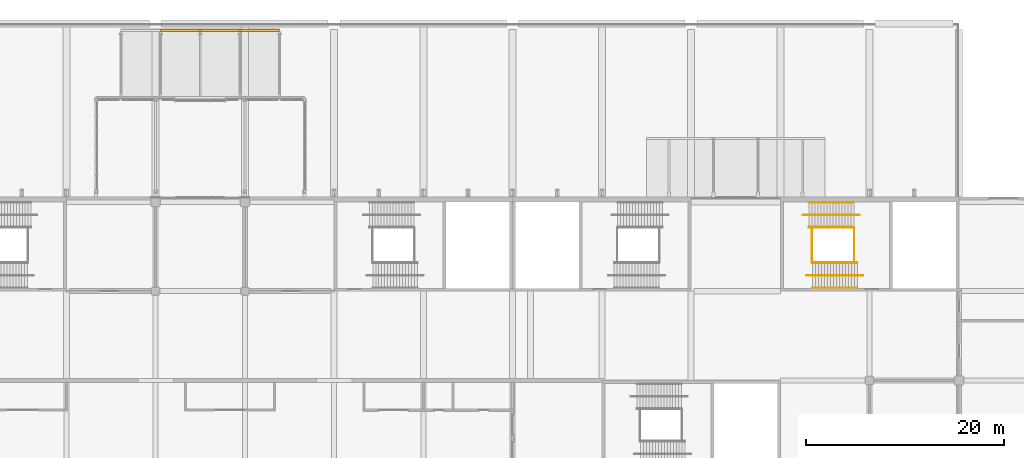
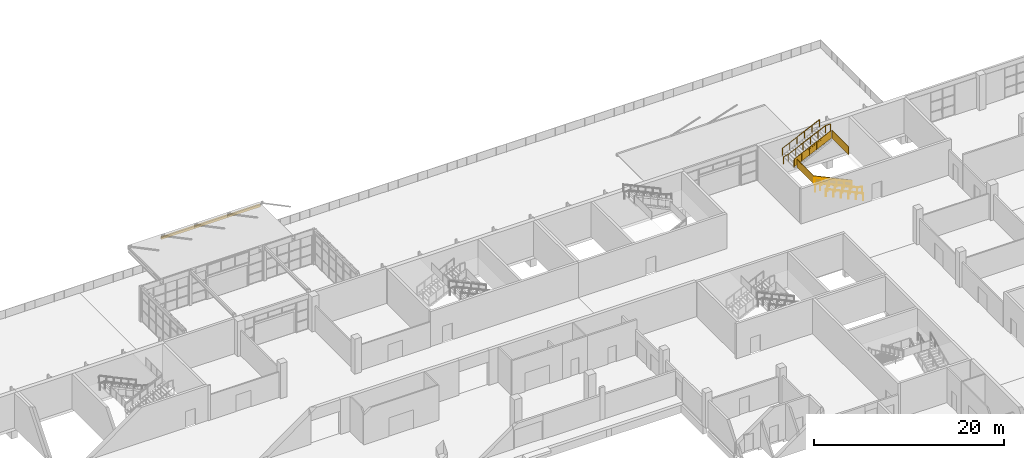
# One storey, part 166 of 168: 10 railings, 3 shading devices.
"""IFC4 building model written with IfcOpenShell, lengths in metres."""

from ifc_helpers import new_model, si_unit, direction, frame, origin, origin_2d, place, context, subcontext, project, spatial, polyline, hollow_rectangle, circle, outline, extrude, material, material_profile, profile_set, type_object, element, save


model = new_model("IFC4")

# Units and contexts
model_context = context("Model", 3, precision=1e-05, world=origin(), true_north=direction((0.0, 1.0)))
body_context = subcontext(model_context, "Body", "Model", "MODEL_VIEW")
ifc_project = project(units=[si_unit("LENGTHUNIT", "METRE"), si_unit("AREAUNIT", "SQUARE_METRE"), si_unit("VOLUMEUNIT", "CUBIC_METRE"), si_unit("PLANEANGLEUNIT", "RADIAN"), si_unit("MASSUNIT", "GRAM", prefix="KILO")], contexts=[model_context])

# Site, building, storey
site_placement = place(None, origin())
site = spatial("IfcSite", under=ifc_project, at=site_placement, CompositionType="ELEMENT")
building_placement = place(site_placement, origin())
building = spatial("IfcBuilding", under=site, at=building_placement, Name="Silverbay Arena", CompositionType="ELEMENT")
storey_placement = place(building_placement, frame((0.0, 0.0, 7.0)))
storey = spatial("IfcBuildingStorey", under=building, at=storey_placement, Name="L01", CompositionType="ELEMENT", Elevation=7.0)

# Shading devices
ifc_material_1 = material(Name="Steel S355", Category="steel")
ifc_material_profile = material_profile(ifc_material_1, hollow_rectangle(XDim=0.199951171875, YDim=0.300048828125, WallThickness=0.008056640625, at=origin_2d()), Name="RHS 300x200x8")
ifc_profile_set = profile_set([ifc_material_profile], Name="Steel S355")
shading_device_type = type_object("IfcShadingDeviceType", Name="Canopy edge beam RHS 300x200x8", PredefinedType="USERDEFINED", material=ifc_profile_set)
for number, where, z_axis, x_axis, name in (
    (1, (126.5, 161.300048828125, 4.14990234375), (1.0, 0.0, 0.0), (0.0, 1.0, 0.0), "North entrance hall N1 canopy edge beam 2"),
    (2, (130.5, 161.300048828125, 4.14990234375), (1.0, 0.0, 0.0), (0.0, 1.0, 0.0), "North entrance hall N1 canopy edge beam 3"),
    (3, (134.5, 161.300048828125, 4.14990234375), (1.0, 0.0, 0.0), (0.0, 1.0, 0.0), "North entrance hall N1 canopy edge beam 4"),
):
    element("IfcShadingDevice", number, at=place(storey_placement, frame(where, z_axis=z_axis, x_axis=x_axis)), inside=storey, type_object=shading_device_type, Name=name, ObjectType="CANOPY FRAME", PredefinedType="USERDEFINED", context=body_context, shape_type="SweptSolid", body=[
        extrude(hollow_rectangle(XDim=0.199951171875, YDim=0.300048828125, WallThickness=0.008056640625, at=origin_2d()), origin(), (0.0, 0.0, 1.0), 4.0),
    ])

# Railings
ifc_material_2 = material(Name="Stainless steel", Category="steel")
railing_type_1 = type_object("IfcRailingType", Name="Stair guard 1100", PredefinedType="GUARDRAIL", material=ifc_material_2)
railing_1_placement = place(storey_placement, frame((196.75341796875, 137.875, 0.140625)))
element("IfcRailing", 4, at=railing_1_placement, inside=storey, type_object=railing_type_1, Name="Stair ST-N6 L01 to L02 flight 1 guard right", PredefinedType="GUARDRAIL", context=body_context, shape_type="SweptSolid", body=[
    extrude(circle(Radius=0.02392578125, at=origin_2d()), frame((0.0, 0.0, 1.076171875), z_axis=(-0.905458935959, 0.0, 0.424433876231), x_axis=(0.0, -1.0, 0.0)), (0.0, 0.0, 1.0), 4.969970703125),
    extrude(outline(polyline([(-0.008056640625, 0.046142578125), (0.907958984375, 0.4755859375), (0.907958984375, 1.478515625), (-0.008056640625, 1.04931640625), (-0.008056640625, 0.046142578125)])), frame((0.0, -0.0029296875, 0.0), z_axis=(0.0, 1.0, 0.0), x_axis=(-1.0, 0.0, 0.0)), (0.0, 0.0, 1.0), 0.006103515625),
    extrude(outline(polyline([(-0.008056640625, 0.468017578125), (0.907958984375, 0.8974609375), (0.907958984375, 1.900390625), (-0.008056640625, 1.47119140625), (-0.008056640625, 0.468017578125)])), frame((-0.89990234375, -0.0029296875, 0.0), z_axis=(0.0, 1.0, 0.0), x_axis=(-1.0, 0.0, 0.0)), (0.0, 0.0, 1.0), 0.006103515625),
    extrude(outline(polyline([(-0.008056640625, 0.889892578125), (0.907958984375, 1.3193359375), (0.907958984375, 2.322265625), (-0.008056640625, 1.89306640625), (-0.008056640625, 0.889892578125)])), frame((-1.800048828125, -0.0029296875, 0.0), z_axis=(0.0, 1.0, 0.0), x_axis=(-1.0, 0.0, 0.0)), (0.0, 0.0, 1.0), 0.006103515625),
    extrude(outline(polyline([(-0.008056640625, 1.311767578125), (0.907958984375, 1.7412109375), (0.907958984375, 2.744140625), (-0.008056640625, 2.31494140625), (-0.008056640625, 1.311767578125)])), frame((-2.699951171875, -0.0029296875, 0.0), z_axis=(0.0, 1.0, 0.0), x_axis=(-1.0, 0.0, 0.0)), (0.0, 0.0, 1.0), 0.006103515625),
    extrude(outline(polyline([(-0.008056640625, 1.733642578125), (0.907958984375, 2.1630859375), (0.907958984375, 3.166015625), (-0.008056640625, 2.73681640625), (-0.008056640625, 1.733642578125)])), frame((-3.60009765625, -0.0029296875, 0.0), z_axis=(0.0, 1.0, 0.0), x_axis=(-1.0, 0.0, 0.0)), (0.0, 0.0, 1.0), 0.006103515625),
    extrude(circle(Radius=0.02099609375, at=origin_2d()), origin(), (0.0, 0.0, 1.0), 1.052001953125),
    extrude(circle(Radius=0.02099609375, at=origin_2d()), frame((-0.89990234375, 0.0, 0.421875)), (0.0, 0.0, 1.0), 1.052001953125),
    extrude(circle(Radius=0.02099609375, at=origin_2d()), frame((-1.800048828125, 0.0, 0.84375)), (0.0, 0.0, 1.0), 1.052001953125),
    extrude(circle(Radius=0.02099609375, at=origin_2d()), frame((-2.699951171875, 0.0, 1.265625)), (0.0, 0.0, 1.0), 1.052001953125),
    extrude(circle(Radius=0.02099609375, at=origin_2d()), frame((-3.60009765625, 0.0, 1.6875)), (0.0, 0.0, 1.0), 1.052001953125),
    extrude(circle(Radius=0.02099609375, at=origin_2d()), frame((-4.5, 0.0, 2.109375)), (0.0, 0.0, 1.0), 1.052001953125),
])
railing_2_placement = place(storey_placement, frame((191.89990234375, 141.425048828125, 2.390625)))
element("IfcRailing", 5, at=railing_2_placement, inside=storey, type_object=railing_type_1, Name="Stair ST-N6 L01 to L02 flight 2 guard left", PredefinedType="GUARDRAIL", context=body_context, shape_type="SweptSolid", body=[
    extrude(circle(Radius=0.02392578125, at=origin_2d()), frame((0.0, 0.0, 1.076171875), z_axis=(0.905458935959, 0.0, 0.424433876231), x_axis=(0.0, 1.0, 0.0)), (0.0, 0.0, 1.0), 4.969970703125),
    extrude(outline(polyline([(-0.008056640625, 0.046142578125), (0.907958984375, 0.4755859375), (0.907958984375, 1.478515625), (-0.008056640625, 1.04931640625), (-0.008056640625, 0.046142578125)])), frame((0.0, 0.0029296875, 0.0), z_axis=(0.0, -1.0, 0.0), x_axis=(1.0, 0.0, 0.0)), (0.0, 0.0, 1.0), 0.006103515625),
    extrude(outline(polyline([(-0.008056640625, 0.468017578125), (0.907958984375, 0.8974609375), (0.907958984375, 1.900390625), (-0.008056640625, 1.47119140625), (-0.008056640625, 0.468017578125)])), frame((0.89990234375, 0.0029296875, 0.0), z_axis=(0.0, -1.0, 0.0), x_axis=(1.0, 0.0, 0.0)), (0.0, 0.0, 1.0), 0.006103515625),
    extrude(outline(polyline([(-0.008056640625, 0.889892578125), (0.907958984375, 1.3193359375), (0.907958984375, 2.322265625), (-0.008056640625, 1.89306640625), (-0.008056640625, 0.889892578125)])), frame((1.800048828125, 0.0029296875, 0.0), z_axis=(0.0, -1.0, 0.0), x_axis=(1.0, 0.0, 0.0)), (0.0, 0.0, 1.0), 0.006103515625),
    extrude(outline(polyline([(-0.008056640625, 1.311767578125), (0.907958984375, 1.7412109375), (0.907958984375, 2.744140625), (-0.008056640625, 2.31494140625), (-0.008056640625, 1.311767578125)])), frame((2.699951171875, 0.0029296875, 0.0), z_axis=(0.0, -1.0, 0.0), x_axis=(1.0, 0.0, 0.0)), (0.0, 0.0, 1.0), 0.006103515625),
    extrude(outline(polyline([(-0.008056640625, 1.733642578125), (0.907958984375, 2.1630859375), (0.907958984375, 3.166015625), (-0.008056640625, 2.73681640625), (-0.008056640625, 1.733642578125)])), frame((3.60009765625, 0.0029296875, 0.0), z_axis=(0.0, -1.0, 0.0), x_axis=(1.0, 0.0, 0.0)), (0.0, 0.0, 1.0), 0.006103515625),
    extrude(circle(Radius=0.02099609375, at=origin_2d()), origin(), (0.0, 0.0, 1.0), 1.052001953125),
    extrude(circle(Radius=0.02099609375, at=origin_2d()), frame((0.89990234375, 0.0, 0.421875)), (0.0, 0.0, 1.0), 1.052001953125),
    extrude(circle(Radius=0.02099609375, at=origin_2d()), frame((1.800048828125, 0.0, 0.84375)), (0.0, 0.0, 1.0), 1.052001953125),
    extrude(circle(Radius=0.02099609375, at=origin_2d()), frame((2.699951171875, 0.0, 1.265625)), (0.0, 0.0, 1.0), 1.052001953125),
    extrude(circle(Radius=0.02099609375, at=origin_2d()), frame((3.60009765625, 0.0, 1.6875)), (0.0, 0.0, 1.0), 1.052001953125),
    extrude(circle(Radius=0.02099609375, at=origin_2d()), frame((4.5, 0.0, 2.109375)), (0.0, 0.0, 1.0), 1.052001953125),
])
for number, where, name in (
    (6, (192.203369140625, 137.89990234375, 2.25), "Stair ST-N6 L01 to L02 landing 1 guard"),
    (7, (196.449951171875, 137.89990234375, 4.5), "Stair ST-N6 L01 to L02 landing 2 guard"),
):
    element("IfcRailing", number, at=place(storey_placement, frame(where)), inside=storey, type_object=railing_type_1, Name=name, PredefinedType="GUARDRAIL", context=body_context, shape_type="SweptSolid", body=[
        extrude(circle(Radius=0.02392578125, at=origin_2d()), frame((0.0, 0.0, 1.076171875), z_axis=(0.0, 1.0, 0.0), x_axis=(-1.0, 0.0, 0.0)), (0.0, 0.0, 1.0), 3.5),
        extrude(outline(polyline([(-0.008056640625, 0.050048828125), (1.174560546875, 0.050048828125), (1.174560546875, 1.052978515625), (-0.008056640625, 1.052978515625), (-0.008056640625, 0.050048828125)])), frame((-0.0029296875, 0.0, 0.0), z_axis=(1.0, 0.0, 0.0), x_axis=(0.0, 1.0, 0.0)), (0.0, 0.0, 1.0), 0.006103515625),
        extrude(outline(polyline([(-0.008056640625, 0.050048828125), (1.174560546875, 0.050048828125), (1.174560546875, 1.052978515625), (-0.008056640625, 1.052978515625), (-0.008056640625, 0.050048828125)])), frame((-0.0029296875, 1.166748046875, 0.0), z_axis=(1.0, 0.0, 0.0), x_axis=(0.0, 1.0, 0.0)), (0.0, 0.0, 1.0), 0.006103515625),
        extrude(outline(polyline([(-0.008056640625, 0.050048828125), (1.174560546875, 0.050048828125), (1.174560546875, 1.052978515625), (-0.008056640625, 1.052978515625), (-0.008056640625, 0.050048828125)])), frame((-0.0029296875, 2.333251953125, 0.0), z_axis=(1.0, 0.0, 0.0), x_axis=(0.0, 1.0, 0.0)), (0.0, 0.0, 1.0), 0.006103515625),
        extrude(circle(Radius=0.02099609375, at=origin_2d()), origin(), (0.0, 0.0, 1.0), 1.052001953125),
        extrude(circle(Radius=0.02099609375, at=origin_2d()), frame((0.0, 1.166748046875, 0.0)), (0.0, 0.0, 1.0), 1.052001953125),
        extrude(circle(Radius=0.02099609375, at=origin_2d()), frame((0.0, 2.333251953125, 0.0)), (0.0, 0.0, 1.0), 1.052001953125),
        extrude(circle(Radius=0.02099609375, at=origin_2d()), frame((0.0, 3.5, 0.0)), (0.0, 0.0, 1.0), 1.052001953125),
    ])
ifc_material_3 = material(Name="Stainless steel", Category="steel")
railing_type_2 = type_object("IfcRailingType", Name="Stair handrail 900", PredefinedType="HANDRAIL", material=ifc_material_3)
for number, where, name in (
    (8, (196.75341796875, 135.35009765625, 0.140625), "Stair ST-N6 L01 to L02 flight 1 handrail left"),
    (9, (196.75341796875, 137.8359375, 0.140625), "Stair ST-N6 L01 to L02 flight 1 handrail right"),
):
    element("IfcRailing", number, at=place(storey_placement, frame(where)), inside=storey, type_object=railing_type_2, Name=name, PredefinedType="HANDRAIL", context=body_context, shape_type="SweptSolid", body=[
        extrude(circle(Radius=0.02392578125, at=origin_2d()), frame((0.0, 0.0, 0.8759765625), z_axis=(-0.905458935959, 0.0, 0.424433876231), x_axis=(0.0, -1.0, 0.0)), (0.0, 0.0, 1.0), 4.969970703125),
        extrude(circle(Radius=0.02099609375, at=origin_2d()), origin(), (0.0, 0.0, 1.0), 0.851806640625),
        extrude(circle(Radius=0.02099609375, at=origin_2d()), frame((-0.89990234375, 0.0, 0.421875)), (0.0, 0.0, 1.0), 0.851806640625),
        extrude(circle(Radius=0.02099609375, at=origin_2d()), frame((-1.800048828125, 0.0, 0.84375)), (0.0, 0.0, 1.0), 0.851806640625),
        extrude(circle(Radius=0.02099609375, at=origin_2d()), frame((-2.699951171875, 0.0, 1.265625)), (0.0, 0.0, 1.0), 0.851806640625),
        extrude(circle(Radius=0.02099609375, at=origin_2d()), frame((-3.60009765625, 0.0, 1.6875)), (0.0, 0.0, 1.0), 0.851806640625),
        extrude(circle(Radius=0.02099609375, at=origin_2d()), frame((-4.5, 0.0, 2.109375)), (0.0, 0.0, 1.0), 0.851806640625),
    ])
railing_3_placement = place(storey_placement, frame((197.353515625, 136.60009765625, 0.0)))
element("IfcRailing", 10, at=railing_3_placement, inside=storey, type_object=railing_type_2, Name="Stair ST-N6 L01 to L02 flight 1 central handrail", PredefinedType="HANDRAIL", context=body_context, shape_type="SweptSolid", body=[
    extrude(circle(Radius=0.02392578125, at=origin_2d()), frame((0.0, 0.0, 0.8759765625), z_axis=(-0.973624560196, 0.0, 0.228156121511), x_axis=(0.0, -1.0, 0.0)), (0.0, 0.0, 1.0), 0.616455078125),
    extrude(circle(Radius=0.02392578125, at=origin_2d()), frame((-0.60009765625, 0.0, 1.0166015625), z_axis=(-0.905458935959, 0.0, 0.424433876231), x_axis=(0.0, -1.0, 0.0)), (0.0, 0.0, 1.0), 4.969970703125),
    extrude(circle(Radius=0.02392578125, at=origin_2d()), frame((-5.10009765625, 0.0, 3.1259765625), z_axis=(-1.0, 0.0, 0.0), x_axis=(0.0, -1.0, 0.0)), (0.0, 0.0, 1.0), 0.60009765625),
    extrude(circle(Radius=0.02099609375, at=origin_2d()), origin(), (0.0, 0.0, 1.0), 0.851806640625),
    extrude(circle(Radius=0.02099609375, at=origin_2d()), frame((-0.60009765625, 0.0, 0.140625)), (0.0, 0.0, 1.0), 0.851806640625),
    extrude(circle(Radius=0.02099609375, at=origin_2d()), frame((-1.5, 0.0, 0.5625)), (0.0, 0.0, 1.0), 0.851806640625),
    extrude(circle(Radius=0.02099609375, at=origin_2d()), frame((-2.400146484375, 0.0, 0.984375)), (0.0, 0.0, 1.0), 0.851806640625),
    extrude(circle(Radius=0.02099609375, at=origin_2d()), frame((-3.300048828125, 0.0, 1.40625)), (0.0, 0.0, 1.0), 0.851806640625),
    extrude(circle(Radius=0.02099609375, at=origin_2d()), frame((-4.2001953125, 0.0, 1.828125)), (0.0, 0.0, 1.0), 0.851806640625),
    extrude(circle(Radius=0.02099609375, at=origin_2d()), frame((-5.10009765625, 0.0, 2.25)), (0.0, 0.0, 1.0), 0.851806640625),
    extrude(circle(Radius=0.02099609375, at=origin_2d()), frame((-5.7001953125, 0.0, 2.25)), (0.0, 0.0, 1.0), 0.851806640625),
])
for number, where, name in (
    (11, (191.89990234375, 141.464111328125, 2.390625), "Stair ST-N6 L01 to L02 flight 2 handrail left"),
    (12, (191.89990234375, 143.949951171875, 2.390625), "Stair ST-N6 L01 to L02 flight 2 handrail right"),
):
    element("IfcRailing", number, at=place(storey_placement, frame(where)), inside=storey, type_object=railing_type_2, Name=name, PredefinedType="HANDRAIL", context=body_context, shape_type="SweptSolid", body=[
        extrude(circle(Radius=0.02392578125, at=origin_2d()), frame((0.0, 0.0, 0.8759765625), z_axis=(0.905458935959, 0.0, 0.424433876231), x_axis=(0.0, 1.0, 0.0)), (0.0, 0.0, 1.0), 4.969970703125),
        extrude(circle(Radius=0.02099609375, at=origin_2d()), origin(), (0.0, 0.0, 1.0), 0.851806640625),
        extrude(circle(Radius=0.02099609375, at=origin_2d()), frame((0.89990234375, 0.0, 0.421875)), (0.0, 0.0, 1.0), 0.851806640625),
        extrude(circle(Radius=0.02099609375, at=origin_2d()), frame((1.800048828125, 0.0, 0.84375)), (0.0, 0.0, 1.0), 0.851806640625),
        extrude(circle(Radius=0.02099609375, at=origin_2d()), frame((2.699951171875, 0.0, 1.265625)), (0.0, 0.0, 1.0), 0.851806640625),
        extrude(circle(Radius=0.02099609375, at=origin_2d()), frame((3.60009765625, 0.0, 1.6875)), (0.0, 0.0, 1.0), 0.851806640625),
        extrude(circle(Radius=0.02099609375, at=origin_2d()), frame((4.5, 0.0, 2.109375)), (0.0, 0.0, 1.0), 0.851806640625),
    ])
railing_4_placement = place(storey_placement, frame((191.300048828125, 142.699951171875, 2.25)))
element("IfcRailing", 13, at=railing_4_placement, inside=storey, type_object=railing_type_2, Name="Stair ST-N6 L01 to L02 flight 2 central handrail", PredefinedType="HANDRAIL", context=body_context, shape_type="SweptSolid", body=[
    extrude(circle(Radius=0.02392578125, at=origin_2d()), frame((0.0, 0.0, 0.8759765625), z_axis=(0.973603928963, 0.0, 0.228244144519), x_axis=(0.0, 1.0, 0.0)), (0.0, 0.0, 1.0), 0.6162109375),
    extrude(circle(Radius=0.02392578125, at=origin_2d()), frame((0.599853515625, 0.0, 1.0166015625), z_axis=(0.905458935959, 0.0, 0.424433876231), x_axis=(0.0, 1.0, 0.0)), (0.0, 0.0, 1.0), 4.969970703125),
    extrude(circle(Radius=0.02392578125, at=origin_2d()), frame((5.099853515625, 0.0, 3.1259765625), z_axis=(1.0, 0.0, 0.0), x_axis=(0.0, 1.0, 0.0)), (0.0, 0.0, 1.0), 0.60009765625),
    extrude(circle(Radius=0.02099609375, at=origin_2d()), origin(), (0.0, 0.0, 1.0), 0.851806640625),
    extrude(circle(Radius=0.02099609375, at=origin_2d()), frame((0.599853515625, 0.0, 0.140625)), (0.0, 0.0, 1.0), 0.851806640625),
    extrude(circle(Radius=0.02099609375, at=origin_2d()), frame((1.499755859375, 0.0, 0.5625)), (0.0, 0.0, 1.0), 0.851806640625),
    extrude(circle(Radius=0.02099609375, at=origin_2d()), frame((2.39990234375, 0.0, 0.984375)), (0.0, 0.0, 1.0), 0.851806640625),
    extrude(circle(Radius=0.02099609375, at=origin_2d()), frame((3.2998046875, 0.0, 1.40625)), (0.0, 0.0, 1.0), 0.851806640625),
    extrude(circle(Radius=0.02099609375, at=origin_2d()), frame((4.199951171875, 0.0, 1.828125)), (0.0, 0.0, 1.0), 0.851806640625),
    extrude(circle(Radius=0.02099609375, at=origin_2d()), frame((5.099853515625, 0.0, 2.25)), (0.0, 0.0, 1.0), 0.851806640625),
    extrude(circle(Radius=0.02099609375, at=origin_2d()), frame((5.699951171875, 0.0, 2.25)), (0.0, 0.0, 1.0), 0.851806640625),
])

save(model, "model.ifc")
